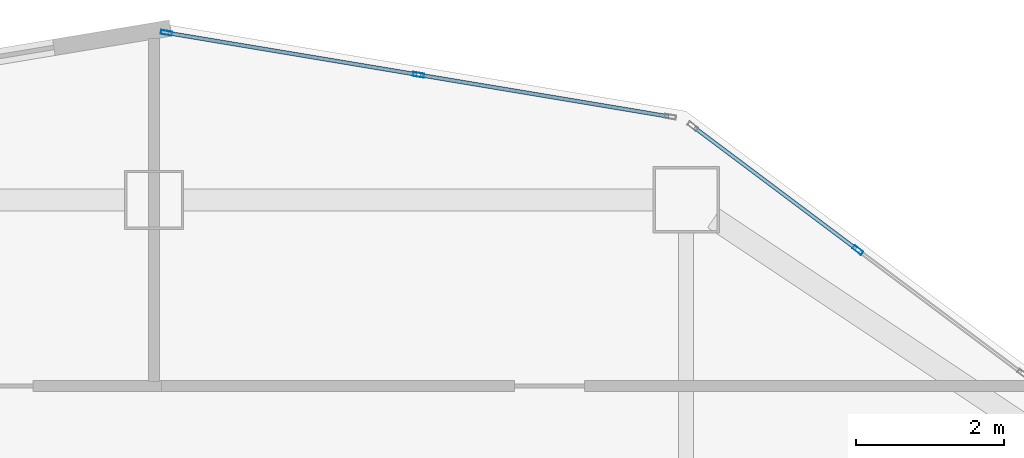
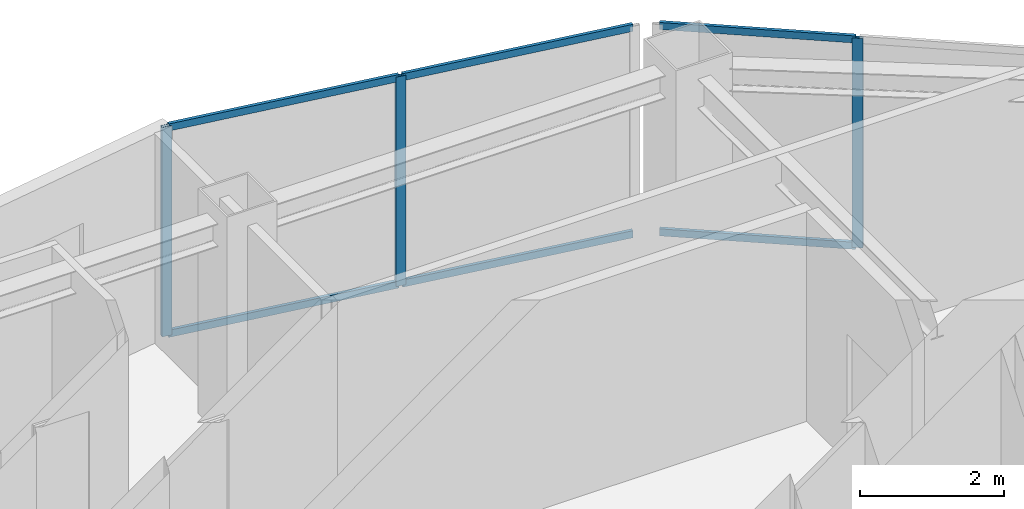
# One storey, part 2 of 11: 9 members, 2 elements without a shape of their own.
"""IFC4 building model written with IfcOpenShell, lengths in metres."""

from ifc_helpers import new_model, si_unit, direction, frame, origin, origin_2d, place, context, subcontext, project, spatial, hollow_rectangle, extrude, material, layer, layer_set, material_profile, profile_set, type_object, element, aggregate, save


model = new_model("IFC4")

# Units and contexts
model_context = context("Model", 3, precision=1e-05, world=origin(), true_north=direction((0.0, 1.0)))
body_context = subcontext(model_context, "Body", "Model", "MODEL_VIEW")
ifc_project = project(units=[si_unit("LENGTHUNIT", "METRE"), si_unit("AREAUNIT", "SQUARE_METRE"), si_unit("VOLUMEUNIT", "CUBIC_METRE"), si_unit("PLANEANGLEUNIT", "RADIAN"), si_unit("MASSUNIT", "GRAM", prefix="KILO")], contexts=[model_context])

# Site, building, storey
site_placement = place(None, origin())
site = spatial("IfcSite", under=ifc_project, at=site_placement, CompositionType="ELEMENT")
building_placement = place(site_placement, origin())
building = spatial("IfcBuilding", under=site, at=building_placement, Name="Haolan Belvedere Tower", CompositionType="ELEMENT")
storey_placement = place(building_placement, frame((0.0, 0.0, 226.800048828125)))
storey = spatial("IfcBuildingStorey", under=building, at=storey_placement, Name="L57", CompositionType="ELEMENT", Elevation=226.800048828125)

# Curtain wall, member
ifc_material_1 = material(Name="Anodised champagne-silver aluminium 6063-T6 and Low-E glass", Category="aluminium")
ifc_layer = layer(ifc_material_1, 0.14990234375, Name="Anodised champagne-silver aluminium 6063-T6 and Low-E glass")
ifc_layer_set = layer_set([ifc_layer], Name="Anodised champagne-silver aluminium 6063-T6 and Low-E glass")
curtain_wall_type = type_object("IfcCurtainWallType", Name="CW-SYS-04", PredefinedType="NOTDEFINED", material=ifc_layer_set)
curtain_wall_1_placement = place(storey_placement, origin())
curtain_wall_1 = element("IfcCurtainWall", 1, at=curtain_wall_1_placement, inside=storey, type_object=curtain_wall_type, Name="L57 CW-SYS-04 ribbon curtain wall 20.1", PredefinedType="NOTDEFINED")
ifc_material_2 = material(Name="Anodised aluminium 6063-T6", Category="aluminium")
ifc_material_profile_1 = material_profile(ifc_material_2, hollow_rectangle(XDim=0.055908203125, YDim=0.14990234375, WallThickness=0.00390625, at=origin_2d()), Name="Anodised aluminium 6063-T6")
ifc_profile_set_1 = profile_set([ifc_material_profile_1], Name="Anodised aluminium 6063-T6")
member_type_1 = type_object("IfcMemberType", Name="CW-SYS-04-MUL", PredefinedType="MULLION", material=ifc_profile_set_1)
member_1_placement = place(storey_placement, frame((47.9228515625, 49.720458984375, 0.0), z_axis=(0.0, 0.0, 1.0), x_axis=(-0.600002837806, -0.799997871638, 0.0)))
member_1 = element("IfcMember", 2, at=member_1_placement, type_object=member_type_1, Name="CW-04 mullion 2", PredefinedType="MULLION", context=body_context, shape_type="SweptSolid", body=[
    extrude(hollow_rectangle(XDim=0.055908203125, YDim=0.14990234375, WallThickness=0.00390625, at=origin_2d()), origin(), (0.0, 0.0, 1.0), 3.5400390625),
])

# Curtain wall, members
curtain_wall_2_placement = place(storey_placement, origin())
curtain_wall_2 = element("IfcCurtainWall", 3, at=curtain_wall_2_placement, inside=storey, type_object=curtain_wall_type, Name="L57 CW-SYS-04 ribbon curtain wall 21.1", PredefinedType="NOTDEFINED")
member_2_placement = place(storey_placement, frame((41.977783203125, 52.09228515625, 0.0), z_axis=(0.0, 0.0, 1.0), x_axis=(-0.164405962825, -0.98639276122, 0.0)))
member_2 = element("IfcMember", 4, at=member_2_placement, type_object=member_type_1, Name="CW-04 mullion 2", PredefinedType="MULLION", context=body_context, shape_type="SweptSolid", body=[
    extrude(hollow_rectangle(XDim=0.055908203125, YDim=0.14990234375, WallThickness=0.00390625, at=origin_2d()), origin(), (0.0, 0.0, 1.0), 3.5400390625),
])
member_3_placement = place(storey_placement, frame((38.565673828125, 52.660888671875, 0.0), z_axis=(0.0, 0.0, 1.0), x_axis=(-0.164405962825, -0.98639276122, 0.0)))
member_3 = element("IfcMember", 5, at=member_3_placement, type_object=member_type_1, Name="CW-04 mullion 3", PredefinedType="MULLION", context=body_context, shape_type="SweptSolid", body=[
    extrude(hollow_rectangle(XDim=0.055908203125, YDim=0.14990234375, WallThickness=0.00390625, at=origin_2d()), origin(), (0.0, 0.0, 1.0), 3.5400390625),
])

# Member
ifc_material_profile_2 = material_profile(ifc_material_2, hollow_rectangle(XDim=0.052001953125, YDim=0.1201171875, WallThickness=0.00390625, at=origin_2d()), Name="Anodised aluminium 6063-T6")
ifc_profile_set_2 = profile_set([ifc_material_profile_2], Name="Anodised aluminium 6063-T6")
member_type_2 = type_object("IfcMemberType", Name="CW-SYS-04-TRN", PredefinedType="USERDEFINED", material=ifc_profile_set_2)
member_4_placement = place(storey_placement, frame((47.900390625, 49.7373046875, 0.02587890625), z_axis=(-0.799978576274, 0.600028563905, 0.0), x_axis=(-0.600028563905, -0.799978576274, 0.0)))
member_4 = element("IfcMember", 6, at=member_4_placement, type_object=member_type_2, Name="CW-04 transom 2.1", ObjectType="TRANSOM", PredefinedType="USERDEFINED", context=body_context, shape_type="SweptSolid", body=[
    extrude(hollow_rectangle(XDim=0.052001953125, YDim=0.1201171875, WallThickness=0.00390625, at=origin_2d()), origin(), (0.0, 0.0, 1.0), 2.735107421875),
])

member_5_placement = place(storey_placement, frame((47.900390625, 49.7373046875, 3.513916015625), z_axis=(-0.799978576274, 0.600028563905, 0.0), x_axis=(-0.600028563905, -0.799978576274, 0.0)))
member_5 = element("IfcMember", 7, at=member_5_placement, type_object=member_type_2, Name="CW-04 transom 2.2", ObjectType="TRANSOM", PredefinedType="USERDEFINED", context=body_context, shape_type="SweptSolid", body=[
    extrude(hollow_rectangle(XDim=0.052001953125, YDim=0.1201171875, WallThickness=0.00390625, at=origin_2d()), origin(), (0.0, 0.0, 1.0), 2.735107421875),
])

aggregate(curtain_wall_1, [member_1, member_4, member_5])

member_6_placement = place(storey_placement, frame((45.362060546875, 51.528076171875, 0.02587890625), z_axis=(-0.986388106252, 0.164433888976, 0.0), x_axis=(-0.164433888976, -0.986388106252, 0.0)))
member_6 = element("IfcMember", 8, at=member_6_placement, type_object=member_type_2, Name="CW-04 transom 1.1", ObjectType="TRANSOM", PredefinedType="USERDEFINED", context=body_context, shape_type="SweptSolid", body=[
    extrude(hollow_rectangle(XDim=0.052001953125, YDim=0.1201171875, WallThickness=0.00390625, at=origin_2d()), origin(), (0.0, 0.0, 1.0), 3.403076171875),
])

member_7_placement = place(storey_placement, frame((45.362060546875, 51.528076171875, 3.513916015625), z_axis=(-0.986388106252, 0.164433888976, 0.0), x_axis=(-0.164433888976, -0.986388106252, 0.0)))
member_7 = element("IfcMember", 9, at=member_7_placement, type_object=member_type_2, Name="CW-04 transom 1.2", ObjectType="TRANSOM", PredefinedType="USERDEFINED", context=body_context, shape_type="SweptSolid", body=[
    extrude(hollow_rectangle(XDim=0.052001953125, YDim=0.1201171875, WallThickness=0.00390625, at=origin_2d()), origin(), (0.0, 0.0, 1.0), 3.403076171875),
])

member_8_placement = place(storey_placement, frame((41.9501953125, 52.096923828125, 0.02587890625), z_axis=(-0.986401678227, 0.164352454169, 0.0), x_axis=(-0.164352454169, -0.986401678227, 0.0)))
member_8 = element("IfcMember", 10, at=member_8_placement, type_object=member_type_2, Name="CW-04 transom 2.1", ObjectType="TRANSOM", PredefinedType="USERDEFINED", context=body_context, shape_type="SweptSolid", body=[
    extrude(hollow_rectangle(XDim=0.052001953125, YDim=0.1201171875, WallThickness=0.00390625, at=origin_2d()), origin(), (0.0, 0.0, 1.0), 3.4033203125),
])

member_9_placement = place(storey_placement, frame((41.9501953125, 52.096923828125, 3.513916015625), z_axis=(-0.986401678227, 0.164352454169, 0.0), x_axis=(-0.164352454169, -0.986401678227, 0.0)))
member_9 = element("IfcMember", 11, at=member_9_placement, type_object=member_type_2, Name="CW-04 transom 2.2", ObjectType="TRANSOM", PredefinedType="USERDEFINED", context=body_context, shape_type="SweptSolid", body=[
    extrude(hollow_rectangle(XDim=0.052001953125, YDim=0.1201171875, WallThickness=0.00390625, at=origin_2d()), origin(), (0.0, 0.0, 1.0), 3.4033203125),
])

aggregate(curtain_wall_2, [member_2, member_3, member_6, member_7, member_8, member_9])

save(model, "model.ifc")
